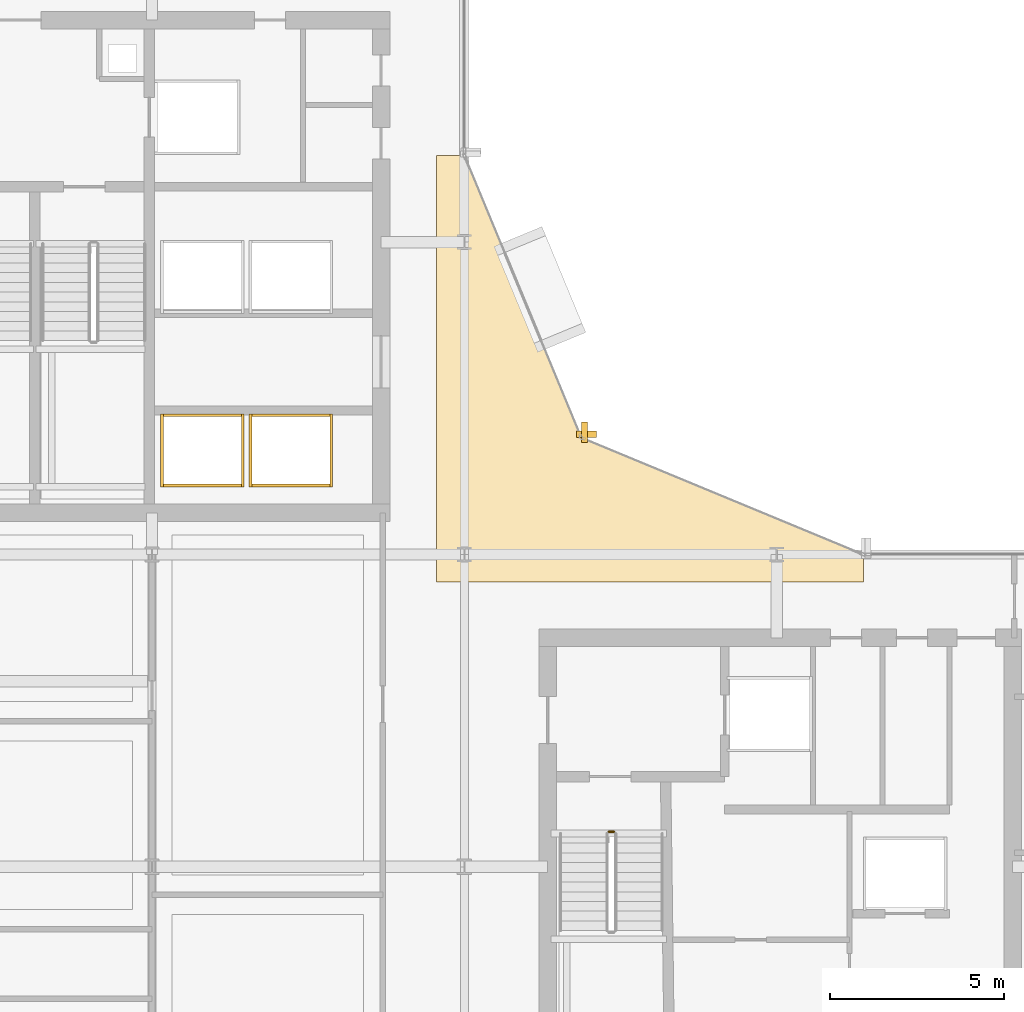
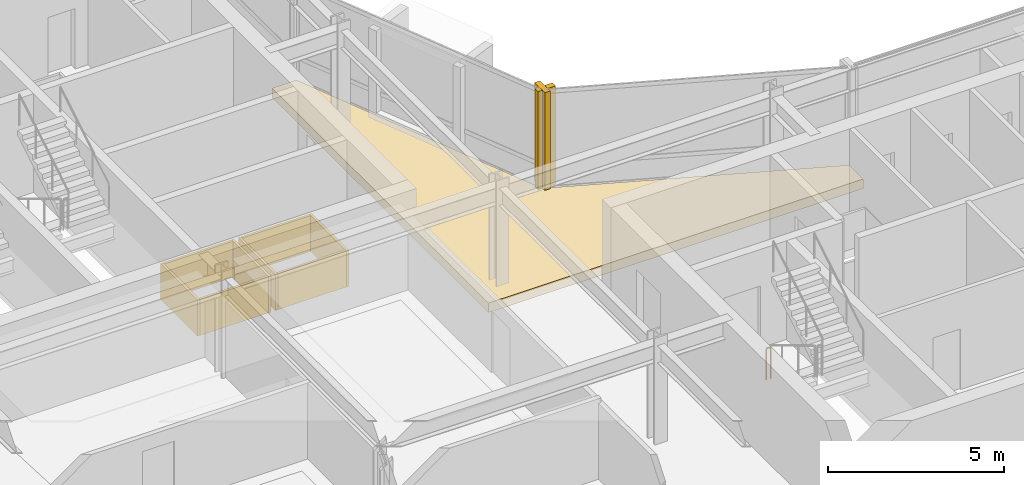
# One storey, part 27 of 29: 11 coverings, 1 railing.
"""IFC4 building model written with IfcOpenShell, lengths in metres."""

from ifc_helpers import new_model, si_unit, direction, frame, origin, origin_2d, place, context, subcontext, project, spatial, polyline, rectangle, circle, outline, extrude, material, layer, layer_set, type_object, element, save


model = new_model("IFC4")

# Units and contexts
model_context = context("Model", 3, precision=1e-05, world=origin(), true_north=direction((0.0, 1.0)))
body_context = subcontext(model_context, "Body", "Model", "MODEL_VIEW")
ifc_project = project(units=[si_unit("LENGTHUNIT", "METRE"), si_unit("AREAUNIT", "SQUARE_METRE"), si_unit("VOLUMEUNIT", "CUBIC_METRE"), si_unit("PLANEANGLEUNIT", "RADIAN"), si_unit("MASSUNIT", "GRAM", prefix="KILO")], contexts=[model_context])

# Site, building, storey
site_placement = place(None, origin())
site = spatial("IfcSite", under=ifc_project, at=site_placement, CompositionType="ELEMENT")
building_placement = place(site_placement, origin())
building = spatial("IfcBuilding", under=site, at=building_placement, Name="Solvaryn Broadcast Tower", CompositionType="ELEMENT")
storey_placement = place(building_placement, frame((0.0, 0.0, 143.300048828125)))
storey = spatial("IfcBuildingStorey", under=building, at=storey_placement, Name="L35", CompositionType="ELEMENT", Elevation=143.300048828125)

# Coverings
ifc_material_1 = material(Name="Fire-Rated Gypsum Shaftwall Liner", Category="concrete")
ifc_layer_1 = layer(ifc_material_1, 0.080078125)
ifc_layer_set_1 = layer_set([ifc_layer_1], Name="CV-SHAFT-LINER")
covering_type_1 = type_object("IfcCoveringType", Name="CV-SHAFT-LINER", PredefinedType="CLADDING", material=ifc_layer_set_1)
for number, where, z_axis, x_axis, name in (
    (1, (19.449951171875, 31.014892578125, 0.0), (0.0, 0.0, 1.0), (1.0, 0.0, 0.0), "L35 PH1 Hoistway Shaft Liner North"),
    (2, (19.449951171875, 28.985107421875, 0.0), (0.0, 0.0, 1.0), (1.0, 0.0, 0.0), "L35 PH1 Hoistway Shaft Liner South"),
):
    element("IfcCovering", number, at=place(storey_placement, frame(where, z_axis=z_axis, x_axis=x_axis)), inside=storey, type_object=covering_type_1, Name=name, PredefinedType="CLADDING", context=body_context, shape_type="SweptSolid", body=[
        extrude(rectangle(XDim=2.409912109375, YDim=0.080078125, at=origin_2d()), origin(), (0.0, 0.0, 1.0), 1.25),
    ])
for number, where, z_axis, x_axis, name in (
    (3, (20.614990234375, 30.0, 0.0), (0.0, 0.0, 1.0), (1.0, 0.0, 0.0), "L35 PH1 Hoistway Shaft Liner East"),
    (4, (18.284912109375, 30.0, 0.0), (0.0, 0.0, 1.0), (1.0, 0.0, 0.0), "L35 PH1 Hoistway Shaft Liner West"),
):
    element("IfcCovering", number, at=place(storey_placement, frame(where, z_axis=z_axis, x_axis=x_axis)), inside=storey, type_object=covering_type_1, Name=name, PredefinedType="CLADDING", context=body_context, shape_type="SweptSolid", body=[
        extrude(rectangle(XDim=0.080078125, YDim=2.110107421875, at=origin_2d()), origin(), (0.0, 0.0, 1.0), 1.25),
    ])
for number, where, z_axis, x_axis, name in (
    (5, (22.0, 31.014892578125, 0.0), (0.0, 0.0, 1.0), (1.0, 0.0, 0.0), "L35 PH2 Hoistway Shaft Liner North"),
    (6, (22.0, 28.985107421875, 0.0), (0.0, 0.0, 1.0), (1.0, 0.0, 0.0), "L35 PH2 Hoistway Shaft Liner South"),
):
    element("IfcCovering", number, at=place(storey_placement, frame(where, z_axis=z_axis, x_axis=x_axis)), inside=storey, type_object=covering_type_1, Name=name, PredefinedType="CLADDING", context=body_context, shape_type="SweptSolid", body=[
        extrude(rectangle(XDim=2.409912109375, YDim=0.080078125, at=origin_2d()), origin(), (0.0, 0.0, 1.0), 1.25),
    ])
for number, where, z_axis, x_axis, name in (
    (7, (23.1650390625, 30.0, 0.0), (0.0, 0.0, 1.0), (1.0, 0.0, 0.0), "L35 PH2 Hoistway Shaft Liner East"),
    (8, (20.8349609375, 30.0, 0.0), (0.0, 0.0, 1.0), (1.0, 0.0, 0.0), "L35 PH2 Hoistway Shaft Liner West"),
):
    element("IfcCovering", number, at=place(storey_placement, frame(where, z_axis=z_axis, x_axis=x_axis)), inside=storey, type_object=covering_type_1, Name=name, PredefinedType="CLADDING", context=body_context, shape_type="SweptSolid", body=[
        extrude(rectangle(XDim=0.080078125, YDim=2.110107421875, at=origin_2d()), origin(), (0.0, 0.0, 1.0), 1.25),
    ])
ifc_material_2 = material(Name="Extruded Architectural Terracotta Fin", Category="masonry")
ifc_layer_2 = layer(ifc_material_2, 0.179931640625)
ifc_layer_set_2 = layer_set([ifc_layer_2], Name="CV-TC-FIN")
covering_type_2 = type_object("IfcCoveringType", Name="CV-TC-FIN", PredefinedType="USERDEFINED", material=ifc_layer_set_2)
covering_1_placement = place(storey_placement, frame((30.464599609375, 30.52294921875, 0.0), z_axis=(0.0, 0.0, 1.0), x_axis=(1.0, 0.0, 0.0)))
element("IfcCovering", 9, at=covering_1_placement, inside=storey, type_object=covering_type_2, Name="L35 Terracotta Vertical Fin FIN-L35-CN1-M01", ObjectType="FIN", PredefinedType="USERDEFINED", context=body_context, shape_type="SweptSolid", body=[
    extrude(rectangle(XDim=0.179931640625, YDim=0.580078125, at=origin_2d()), origin(), (0.0, 0.0, 1.0), 3.419921875),
])
covering_2_placement = place(storey_placement, frame((30.52294921875, 30.464599609375, 0.0), z_axis=(0.0, 0.0, 1.0), x_axis=(1.0, 0.0, 0.0)))
element("IfcCovering", 10, at=covering_2_placement, inside=storey, type_object=covering_type_2, Name="L35 Terracotta Vertical Fin FIN-L35-CN2-M00", ObjectType="FIN", PredefinedType="USERDEFINED", context=body_context, shape_type="SweptSolid", body=[
    extrude(rectangle(XDim=0.580078125, YDim=0.179931640625, at=origin_2d()), origin(), (0.0, 0.0, 1.0), 3.419921875),
])
ifc_material_3 = material(Name="Sculpted Architectural Terracotta Wave Fascia", Category="masonry")
ifc_layer_3 = layer(ifc_material_3, 0.340087890625)
ifc_layer_set_3 = layer_set([ifc_layer_3], Name="CV-WAVE-TRAY")
covering_type_3 = type_object("IfcCoveringType", Name="CV-WAVE-TRAY", PredefinedType="CLADDING", material=ifc_layer_set_3)
covering_3_placement = place(storey_placement, frame((0.0, 0.0, -0.300048828125)))
element("IfcCovering", 11, at=covering_3_placement, inside=storey, type_object=covering_type_3, Name="L35 Concave Canyon Floor Apron", PredefinedType="CLADDING", context=body_context, shape_type="SweptSolid", body=[
    extrude(outline(polyline([(26.199951171875, 26.199951171875), (38.5, 26.199951171875), (38.5, 27.0), (30.367919921875, 30.367919921875), (27.0, 38.5), (26.199951171875, 38.5), (26.199951171875, 26.199951171875)])), origin(), (0.0, 0.0, 1.0), 0.330078125),
])

# Railing
ifc_material_4 = material(Name="Painted Steel Stair Well Guard", Category="steel")
railing_type = type_object("IfcRailingType", Name="RL-STAIR-GUARD", PredefinedType="BALUSTRADE", material=ifc_material_4)
railing_placement = place(storey_placement, frame((31.159912109375, 19.010009765625, 0.0)))
element("IfcRailing", 12, at=railing_placement, inside=storey, type_object=railing_type, Name="L35 ST3 stair guard 4", PredefinedType="BALUSTRADE", context=body_context, shape_type="SweptSolid", body=[
    extrude(circle(Radius=0.02392578125, at=origin_2d()), frame((0.0, 0.0, 1.076171875), z_axis=(1.0, 0.0, 0.0), x_axis=(0.0, 1.0, 0.0)), (0.0, 0.0, 1.0), 0.150146484375),
    extrude(circle(Radius=0.02099609375, at=origin_2d()), origin(), (0.0, 0.0, 1.0), 1.052001953125),
    extrude(circle(Radius=0.02099609375, at=origin_2d()), frame((0.150146484375, 0.0, 0.0)), (0.0, 0.0, 1.0), 1.052001953125),
])

save(model, "model.ifc")
